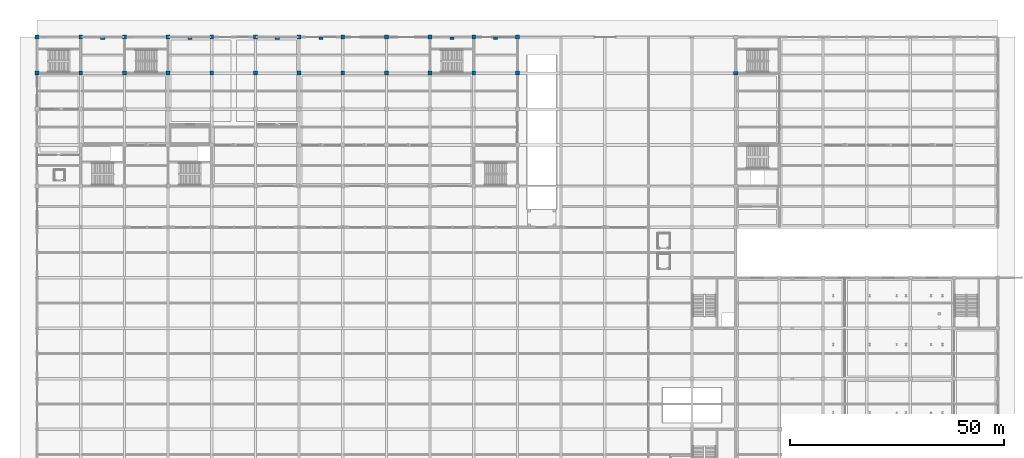
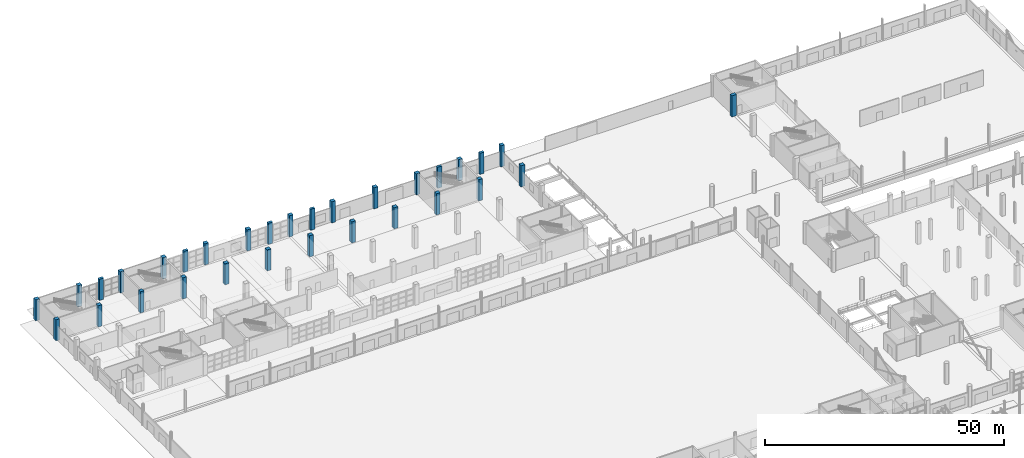
# One storey, part 20 of 124: 31 columns.
"""IFC4 building model written with IfcOpenShell, lengths in metres."""

import ifcopenshell
import ifcopenshell.guid

model = None  # the IFC model being written
_history = None  # IfcOwnerHistory: only IFC2X3 demands one
_inside = {}  # id of a spatial element -> (the spatial element, [elements in it])
_under = {}  # id of a project, library or spatial element -> (it, [spatial elements below it])
_declared = {}  # id of a project -> (the project, [libraries it declares])
_typed = {}  # id of a type object -> (the type object, [elements of that type])
_made_of = {}  # id of a material, layer set ... -> (it, [elements and type objects made of it])


def new_model(schema):
    """Start an empty IFC model of exactly this schema.

    Asked for "IFC4X3", IfcOpenShell would pick the latest addendum, in which some entities
    have other attributes; the version numbers below select the first issue.
    IFC2X3 requires an IfcOwnerHistory on every rooted entity: one is made here for all.
    """
    global model, _history
    if schema == "IFC4X3":
        model = ifcopenshell.file(schema_version=(4, 3, 0, 0))
    else:
        model = ifcopenshell.file(schema=schema)
    _inside.clear()
    _under.clear()
    _declared.clear()
    _typed.clear()
    _made_of.clear()
    _history = None
    if model.schema == "IFC2X3":
        org = make("IfcOrganization", Name="unknown")
        user = make(
            "IfcPersonAndOrganization",
            ThePerson=make("IfcPerson", FamilyName="unknown"),
            TheOrganization=org,
        )
        app = make(
            "IfcApplication",
            ApplicationDeveloper=org,
            Version="unknown",
            ApplicationFullName="unknown",
            ApplicationIdentifier="unknown",
        )
        _history = make(
            "IfcOwnerHistory",
            OwningUser=user,
            OwningApplication=app,
            ChangeAction="ADDED",
            CreationDate=0,
        )
    return model


def make(cls, **values):
    """One entity of the class cls with the attributes given. An attribute that is None is left unset."""
    return model.create_entity(
        cls, **{name: value for name, value in values.items() if value is not None}
    )


def rooted(cls, **values):
    """An entity with a GlobalId (a new one), such as an element, a storey or a relation."""
    return make(cls, GlobalId=ifcopenshell.guid.new(), OwnerHistory=_history, **values)


def si_unit(unit_type, name, prefix=None):
    """IfcSIUnit, for example si_unit("LENGTHUNIT", "METRE", prefix="MILLI")."""
    return make("IfcSIUnit", UnitType=unit_type, Prefix=prefix, Name=name)


def assignment(units):
    """IfcUnitAssignment: the units of a project."""
    return None if units is None else make("IfcUnitAssignment", Units=units)


def point(xyz):
    """IfcCartesianPoint."""
    return None if xyz is None else make("IfcCartesianPoint", Coordinates=xyz)


def direction(xyz):
    """IfcDirection."""
    return None if xyz is None else make("IfcDirection", DirectionRatios=xyz)


def frame(location, z_axis=None, x_axis=None):
    """IfcAxis2Placement3D, a coordinate frame: its origin and axes. An axis left out is left unset."""
    return make(
        "IfcAxis2Placement3D",
        Location=point(location),
        Axis=direction(z_axis),
        RefDirection=direction(x_axis),
    )


def frame_2d(location, x_axis=None):
    """IfcAxis2Placement2D, a coordinate frame in the plane: its origin and x axis."""
    return make(
        "IfcAxis2Placement2D", Location=point(location), RefDirection=direction(x_axis)
    )


def origin():
    """The frame at (0, 0, 0) with its axes left unset."""
    return frame((0.0, 0.0, 0.0))


def origin_2d():
    """The frame at (0, 0) in the plane with its x axis left unset."""
    return frame_2d((0.0, 0.0))


def place(relative_to, where):
    """IfcLocalPlacement: puts the frame where relative to a parent placement (None: the world)."""
    return make(
        "IfcLocalPlacement", PlacementRelTo=relative_to, RelativePlacement=where
    )


def context(
    kind, dimensions, precision=None, world=None, true_north=None, identifier=None
):
    """IfcGeometricRepresentationContext, for example the 3D "Model" context."""
    return make(
        "IfcGeometricRepresentationContext",
        ContextIdentifier=identifier,
        ContextType=kind,
        CoordinateSpaceDimension=dimensions,
        Precision=precision,
        WorldCoordinateSystem=world,
        TrueNorth=true_north,
    )


def subcontext(parent, identifier, kind, view, scale=None):
    """IfcGeometricRepresentationSubContext, for example "Body" below "Model"."""
    return make(
        "IfcGeometricRepresentationSubContext",
        ContextIdentifier=identifier,
        ContextType=kind,
        ParentContext=parent,
        TargetScale=scale,
        TargetView=view,
    )


def project(units=None, contexts=None):
    """IfcProject with its units and contexts."""
    return rooted(
        "IfcProject",
        Name="project",
        RepresentationContexts=contexts,
        UnitsInContext=assignment(units),
    )


def spatial(cls, under=None, at=None, **own):
    """A site, building, storey or space (cls), placed at a placement, below another one or the project."""
    s = rooted(cls, ObjectPlacement=at, **own)
    if under is not None:
        _under.setdefault(under.id(), (under, []))[1].append(s)
    return s


def profile(cls, at=None, kind="AREA", **sizes):
    """A parametric profile (cls). Its sizes go by their IFC names, for example OverallWidth=200.0."""
    return make(cls, ProfileType=kind, Position=at, **sizes)


def rectangle(**sizes):
    """IfcRectangleProfileDef."""
    return profile("IfcRectangleProfileDef", **sizes)


def extrude(swept, where, along, depth):
    """IfcExtrudedAreaSolid: the profile swept, set in the frame where, extruded along a direction by depth."""
    return make(
        "IfcExtrudedAreaSolid",
        SweptArea=swept,
        Position=where,
        ExtrudedDirection=direction(along),
        Depth=depth,
    )


def shape(context_of_items, identifier, shape_type, items):
    """IfcShapeRepresentation: the items that make up one representation, for example the "Body"."""
    return make(
        "IfcShapeRepresentation",
        ContextOfItems=context_of_items,
        RepresentationIdentifier=identifier,
        RepresentationType=shape_type,
        Items=items,
    )


def material(Name=None, Category=None):
    """IfcMaterial."""
    return make("IfcMaterial", Name=Name, Category=Category)


def material_profile(
    of_material, cross_section, Name=None, Category=None, Priority=None
):
    """IfcMaterialProfile: a cross section and its material."""
    return make(
        "IfcMaterialProfile",
        Name=Name,
        Material=of_material,
        Profile=cross_section,
        Priority=Priority,
        Category=Category,
    )


def profile_set(profiles, Name=None, composite=None):
    """IfcMaterialProfileSet."""
    return make(
        "IfcMaterialProfileSet",
        Name=Name,
        MaterialProfiles=profiles,
        CompositeProfile=composite,
    )


def made_of(thing, what):
    """Note that an element or type object is made of a material, layer set ...; save() writes the relation."""
    if what is not None:
        _made_of.setdefault(what.id(), (what, []))[1].append(thing)
    return thing


def type_object(cls, material=None, **own):
    """A type object (cls), such as IfcWallType, which elements share."""
    return made_of(rooted(cls, **own), material)


def element(
    cls,
    number,
    at=None,
    inside=None,
    cuts=None,
    type_object=None,
    material=None,
    context=None,
    identifier="Body",
    shape_type=None,
    held_by="IfcProductDefinitionShape",
    body=None,
    shapes=None,
    **own,
):
    """One element of the class cls, such as IfcWall. Its Tag is "e" and its number.

    at: its placement. inside: the storey or other place that contains it. cuts: it is an
    opening in that element (IfcRelVoidsElement). A single representation is given by context,
    identifier, shape_type and body (its items); several are given by shapes. held_by: the class
    of the entity that holds the representations. save() writes the other relations.
    """
    e = rooted(cls, Tag="e%d" % number, ObjectPlacement=at, **own)
    if body is not None:
        shapes = [shape(context, identifier, shape_type, body)]
    if shapes is not None:
        e.Representation = make(held_by, Representations=shapes)
    if inside is not None:
        _inside.setdefault(inside.id(), (inside, []))[1].append(e)
    if cuts is not None:
        rooted(
            "IfcRelVoidsElement", RelatingBuildingElement=cuts, RelatedOpeningElement=e
        )
    if type_object is not None:
        _typed.setdefault(type_object.id(), (type_object, []))[1].append(e)
    return made_of(e, material)


def aggregate(whole, parts):
    """IfcRelAggregates: a whole, such as a stair, and the parts it consists of."""
    return rooted("IfcRelAggregates", RelatingObject=whole, RelatedObjects=parts)


def save(model, path):
    """Write the relations noted so far, then the file.

    IfcRelAggregates (storeys below a building ...), IfcRelContainedInSpatialStructure (elements
    in a storey), IfcRelDefinesByType, IfcRelAssociatesMaterial and IfcRelDeclares: one each for
    every whole, place, type object, material and project.
    """
    for whole, parts in _under.values():
        aggregate(whole, parts)
    for where, things in _inside.values():
        rooted(
            "IfcRelContainedInSpatialStructure",
            RelatedElements=things,
            RelatingStructure=where,
        )
    for kind, things in _typed.values():
        rooted("IfcRelDefinesByType", RelatedObjects=things, RelatingType=kind)
    for what, things in _made_of.values():
        rooted("IfcRelAssociatesMaterial", RelatedObjects=things, RelatingMaterial=what)
    for by, libraries in _declared.values():
        rooted("IfcRelDeclares", RelatingContext=by, RelatedDefinitions=libraries)
    model.write(path)


model = new_model("IFC4")

# Units and contexts
model_context = context("Model", 3, precision=1e-05, world=origin(), true_north=direction((0.0, 1.0)))
body_context = subcontext(model_context, "Body", "Model", "MODEL_VIEW")
ifc_project = project(units=[si_unit("LENGTHUNIT", "METRE"), si_unit("AREAUNIT", "SQUARE_METRE"), si_unit("VOLUMEUNIT", "CUBIC_METRE"), si_unit("PLANEANGLEUNIT", "RADIAN"), si_unit("MASSUNIT", "GRAM", prefix="KILO")], contexts=[model_context])

# Site, building, storey
site_placement = place(None, origin())
site = spatial("IfcSite", under=ifc_project, at=site_placement, CompositionType="ELEMENT")
building_placement = place(site_placement, origin())
building = spatial("IfcBuilding", under=site, at=building_placement, Name="Brelvane Convention Centre", CompositionType="ELEMENT")
storey_placement = place(building_placement, origin())
storey = spatial("IfcBuildingStorey", under=building, at=storey_placement, Name="L00", CompositionType="ELEMENT", Elevation=0.0)

# Columns
ifc_material_1 = material(Name="Concrete M50", Category="concrete")
ifc_material_profile_1 = material_profile(ifc_material_1, rectangle(XDim=1.10009765625, YDim=0.800048828125, at=origin_2d()), Name="RC 1100x800")
ifc_profile_set_1 = profile_set([ifc_material_profile_1], Name="Concrete M50")
column_type_1 = type_object("IfcColumnType", Name="RC Column C-RC11 (RC 1100x800)", PredefinedType="COLUMN", material=ifc_profile_set_1)
column_placement = place(storey_placement, frame((163.199951171875, 135.60009765625, 0.0), z_axis=(0.0, 0.0, 1.0), x_axis=(1.0, 0.0, 0.0)))
element("IfcColumn", 1, at=column_placement, inside=storey, type_object=column_type_1, Name="Column 17-P (L00)", PredefinedType="COLUMN", context=body_context, shape_type="SweptSolid", body=[
    extrude(rectangle(XDim=1.10009765625, YDim=0.800048828125, at=origin_2d()), origin(), (0.0, 0.0, 1.0), 5.39990234375),
])
ifc_material_2 = material(Name="Concrete M50", Category="concrete")
ifc_material_profile_2 = material_profile(ifc_material_2, rectangle(XDim=0.89990234375, YDim=0.89990234375, at=origin_2d()), Name="RC 900x900")
ifc_profile_set_2 = profile_set([ifc_material_profile_2], Name="Concrete M50")
column_type_2 = type_object("IfcColumnType", Name="RC Column C-RC2 (RC 900x900)", PredefinedType="COLUMN", material=ifc_profile_set_2)
for number, where, z_axis, x_axis, name in (
    (2, (0.0, 135.60009765625, 0.0), (0.0, 0.0, 1.0), (1.0, 0.0, 0.0), "Column 1-P (L00)"),
    (3, (0.0, 144.0, 0.0), (0.0, 0.0, 1.0), (1.0, 0.0, 0.0), "Column 1-Q (L00)"),
    (4, (10.199951171875, 135.60009765625, 0.0), (0.0, 0.0, 1.0), (1.0, 0.0, 0.0), "Column 2-P (L00)"),
    (5, (10.199951171875, 144.0, 0.0), (0.0, 0.0, 1.0), (1.0, 0.0, 0.0), "Column 2-Q (L00)"),
    (6, (20.39990234375, 135.60009765625, 0.0), (0.0, 0.0, 1.0), (1.0, 0.0, 0.0), "Column 3-P (L00)"),
    (7, (20.39990234375, 144.0, 0.0), (0.0, 0.0, 1.0), (1.0, 0.0, 0.0), "Column 3-Q (L00)"),
    (8, (30.60009765625, 135.60009765625, 0.0), (0.0, 0.0, 1.0), (1.0, 0.0, 0.0), "Column 4-P (L00)"),
    (9, (30.60009765625, 144.0, 0.0), (0.0, 0.0, 1.0), (1.0, 0.0, 0.0), "Column 4-Q (L00)"),
    (10, (40.800048828125, 135.60009765625, 0.0), (0.0, 0.0, 1.0), (1.0, 0.0, 0.0), "Column 5-P (L00)"),
    (11, (40.800048828125, 144.0, 0.0), (0.0, 0.0, 1.0), (1.0, 0.0, 0.0), "Column 5-Q (L00)"),
    (12, (51.0, 135.60009765625, 0.0), (0.0, 0.0, 1.0), (1.0, 0.0, 0.0), "Column 6-P (L00)"),
    (13, (51.0, 144.0, 0.0), (0.0, 0.0, 1.0), (1.0, 0.0, 0.0), "Column 6-Q (L00)"),
    (14, (61.199951171875, 135.60009765625, 0.0), (0.0, 0.0, 1.0), (1.0, 0.0, 0.0), "Column 7-P (L00)"),
    (15, (61.199951171875, 144.0, 0.0), (0.0, 0.0, 1.0), (1.0, 0.0, 0.0), "Column 7-Q (L00)"),
    (16, (71.39990234375, 135.60009765625, 0.0), (0.0, 0.0, 1.0), (1.0, 0.0, 0.0), "Column 8-P (L00)"),
    (17, (71.39990234375, 144.0, 0.0), (0.0, 0.0, 1.0), (1.0, 0.0, 0.0), "Column 8-Q (L00)"),
    (18, (81.60009765625, 135.60009765625, 0.0), (0.0, 0.0, 1.0), (1.0, 0.0, 0.0), "Column 9-P (L00)"),
    (19, (81.60009765625, 144.0, 0.0), (0.0, 0.0, 1.0), (1.0, 0.0, 0.0), "Column 9-Q (L00)"),
    (20, (91.800048828125, 135.60009765625, 0.0), (0.0, 0.0, 1.0), (1.0, 0.0, 0.0), "Column 10-P (L00)"),
    (21, (91.800048828125, 144.0, 0.0), (0.0, 0.0, 1.0), (1.0, 0.0, 0.0), "Column 10-Q (L00)"),
    (22, (102.0, 135.60009765625, 0.0), (0.0, 0.0, 1.0), (1.0, 0.0, 0.0), "Column 11-P (L00)"),
    (23, (102.0, 144.0, 0.0), (0.0, 0.0, 1.0), (1.0, 0.0, 0.0), "Column 11-Q (L00)"),
    (24, (112.199951171875, 135.60009765625, 0.0), (0.0, 0.0, 1.0), (1.0, 0.0, 0.0), "Column 12-P (L00)"),
    (25, (112.199951171875, 144.0, 0.0), (0.0, 0.0, 1.0), (1.0, 0.0, 0.0), "Column 12-Q (L00)"),
):
    element("IfcColumn", number, at=place(storey_placement, frame(where, z_axis=z_axis, x_axis=x_axis)), inside=storey, type_object=column_type_2, Name=name, PredefinedType="COLUMN", context=body_context, shape_type="SweptSolid", body=[
        extrude(rectangle(XDim=0.89990234375, YDim=0.89990234375, at=origin_2d()), origin(), (0.0, 0.0, 1.0), 5.39990234375),
    ])
ifc_material_3 = material(Name="Concrete M50", Category="concrete")
ifc_material_profile_3 = material_profile(ifc_material_3, rectangle(XDim=1.0, YDim=0.60009765625, at=origin_2d()), Name="RC 1000x600")
ifc_profile_set_3 = profile_set([ifc_material_profile_3], Name="Concrete M50")
column_type_3 = type_object("IfcColumnType", Name="RC Column PL-RC1 (RC 1000x600)", PredefinedType="PILASTER", material=ifc_profile_set_3)
for number, where, z_axis, x_axis, name in (
    (26, (15.300048828125, 143.699951171875, 0.0), (0.0, 0.0, 1.0), (1.0, 0.0, 0.0), "Rear Wing Structural Pier P1 (L00)"),
    (27, (35.699951171875, 143.699951171875, 0.0), (0.0, 0.0, 1.0), (1.0, 0.0, 0.0), "Rear Wing Structural Pier P2 (L00)"),
    (28, (56.10009765625, 143.699951171875, 0.0), (0.0, 0.0, 1.0), (1.0, 0.0, 0.0), "Rear Wing Structural Pier P3 (L00)"),
    (29, (66.300048828125, 143.699951171875, 0.0), (0.0, 0.0, 1.0), (1.0, 0.0, 0.0), "Rear Wing Structural Pier P4 (L00)"),
    (30, (96.89990234375, 143.699951171875, 0.0), (0.0, 0.0, 1.0), (1.0, 0.0, 0.0), "Rear Wing Structural Pier P5 (L00)"),
    (31, (107.10009765625, 143.699951171875, 0.0), (0.0, 0.0, 1.0), (1.0, 0.0, 0.0), "Rear Wing Structural Pier P6 (L00)"),
):
    element("IfcColumn", number, at=place(storey_placement, frame(where, z_axis=z_axis, x_axis=x_axis)), inside=storey, type_object=column_type_3, Name=name, PredefinedType="PILASTER", context=body_context, shape_type="SweptSolid", body=[
        extrude(rectangle(XDim=1.0, YDim=0.60009765625, at=origin_2d()), origin(), (0.0, 0.0, 1.0), 5.39990234375),
    ])

save(model, "model.ifc")
